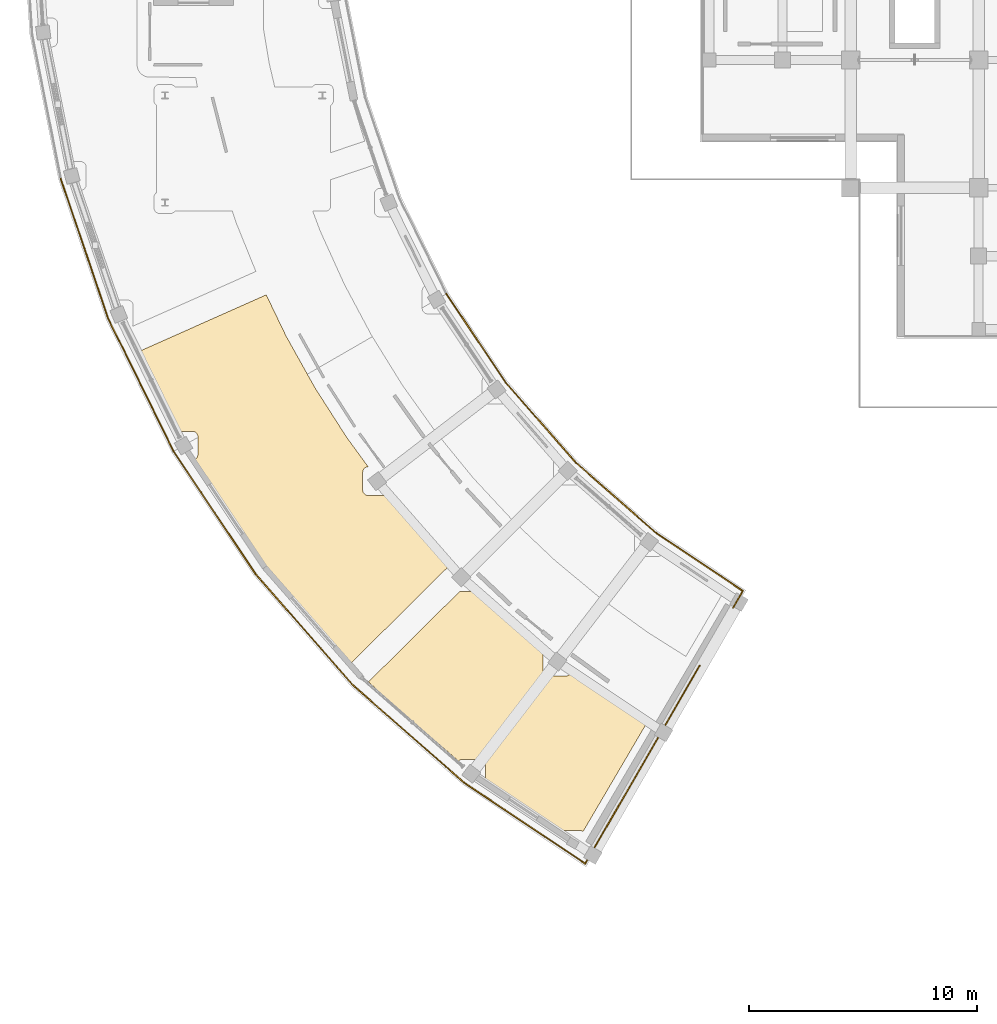
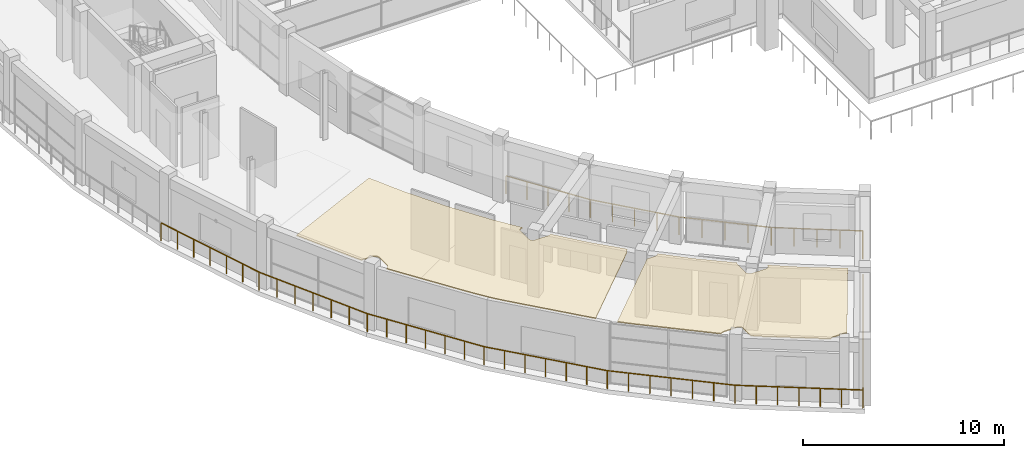
# One storey, part 58 of 72: 12 railings, 2 coverings.
"""IFC4 building model written with IfcOpenShell, lengths in metres."""

from ifc_helpers import new_model, si_unit, direction, frame, origin, origin_2d, place, context, subcontext, project, spatial, polyline, rectangle, outline, extrude, material, layer, layer_set, type_object, element, save


model = new_model("IFC4")

# Units and contexts
model_context = context("Model", 3, precision=1e-05, world=origin(), true_north=direction((0.0, 1.0)))
body_context = subcontext(model_context, "Body", "Model", "MODEL_VIEW")
ifc_project = project(units=[si_unit("LENGTHUNIT", "METRE"), si_unit("AREAUNIT", "SQUARE_METRE"), si_unit("VOLUMEUNIT", "CUBIC_METRE"), si_unit("PLANEANGLEUNIT", "RADIAN"), si_unit("MASSUNIT", "GRAM", prefix="KILO")], contexts=[model_context])

# Site, building, storey
site_placement = place(None, origin())
site = spatial("IfcSite", under=ifc_project, at=site_placement, CompositionType="ELEMENT")
building_placement = place(site_placement, origin())
building = spatial("IfcBuilding", under=site, at=building_placement, Name="Saryqyr Civic Hall", CompositionType="ELEMENT")
storey_placement = place(building_placement, frame((0.0, 0.0, 17.25)))
storey = spatial("IfcBuildingStorey", under=building, at=storey_placement, Name="L04", CompositionType="ELEMENT", Elevation=17.25)

# Coverings
ifc_material_1 = material(Name="Mineral-fibre acoustic ceiling tile", Category="acoustic_tile")
ifc_layer_1 = layer(ifc_material_1, 0.06005859375, Name="Mineral-fibre acoustic ceiling tile")
ifc_layer_set_1 = layer_set([ifc_layer_1], Name="Mineral-fibre acoustic ceiling tile")
covering_type = type_object("IfcCoveringType", Name="INT-COV-CEIL-60", PredefinedType="CEILING", material=ifc_layer_set_1)
covering_1_placement = place(storey_placement, frame((0.0, 0.0, 3.699951171875)))
element("IfcCovering", 1, at=covering_1_placement, inside=storey, type_object=covering_type, Name="Acoustic ceiling Canteen Servery & Finishing Kitchen", PredefinedType="CEILING", context=body_context, shape_type="SweptSolid", body=[
    extrude(outline(polyline([(19.06982421875, 64.281005859375), (20.31298828125, 62.0546875), (20.330078125, 62.02587890625), (21.70556640625, 59.878662109375), (21.72412109375, 59.851318359375), (22.655517578125, 58.57470703125), (22.639892578125, 58.57373046875), (22.61572265625, 58.5703125), (22.591796875, 58.564208984375), (22.56884765625, 58.555908203125), (22.546630859375, 58.54541015625), (22.525634765625, 58.532958984375), (22.505859375, 58.518310546875), (22.48779296875, 58.501708984375), (22.47119140625, 58.483642578125), (22.45654296875, 58.4638671875), (22.444091796875, 58.44287109375), (22.43359375, 58.420654296875), (22.42529296875, 58.397705078125), (22.419189453125, 58.373779296875), (22.415771484375, 58.349609375), (22.41455078125, 58.324951171875), (22.41455078125, 57.56494140625), (22.415771484375, 57.54052734375), (22.419189453125, 57.51611328125), (22.42529296875, 57.492431640625), (22.43359375, 57.46923828125), (22.444091796875, 57.447265625), (22.45654296875, 57.426025390625), (22.47119140625, 57.406494140625), (22.48779296875, 57.38818359375), (22.505859375, 57.37158203125), (22.525634765625, 57.357177734375), (22.546630859375, 57.344482421875), (22.56884765625, 57.333984375), (22.591796875, 57.32568359375), (22.61572265625, 57.31982421875), (22.639892578125, 57.316162109375), (22.66455078125, 57.31494140625), (23.424560546875, 57.31494140625), (23.448974609375, 57.316162109375), (23.473388671875, 57.31982421875), (23.4970703125, 57.32568359375), (23.520263671875, 57.333984375), (23.542236328125, 57.344482421875), (23.5634765625, 57.357177734375), (23.576171875, 57.36669921875), (24.871337890625, 55.799072265625), (24.893310546875, 55.774169921875), (26.236328125, 54.335205078125), (26.216796875, 54.32373046875), (26.197265625, 54.30908203125), (26.178955078125, 54.29248046875), (26.16259765625, 54.2744140625), (26.14794921875, 54.254638671875), (26.13525390625, 54.233642578125), (26.124755859375, 54.21142578125), (26.11669921875, 54.1884765625), (26.110595703125, 54.16455078125), (26.10693359375, 54.140380859375), (26.10693359375, 54.13916015625), (21.88134765625, 49.948974609375), (21.689208984375, 50.15478515625), (18.810302734375, 53.4375), (18.356201171875, 53.9873046875), (17.518798828125, 55.13525390625), (15.016357421875, 58.880615234375), (15.017333984375, 58.880859375), (15.04052734375, 58.888916015625), (15.0625, 58.8994140625), (15.083740234375, 58.912109375), (15.103515625, 58.9267578125), (15.12158203125, 58.943115234375), (15.13818359375, 58.96142578125), (15.152587890625, 58.981201171875), (15.165283203125, 59.002197265625), (15.17578125, 59.0244140625), (15.18408203125, 59.04736328125), (15.18994140625, 59.0712890625), (15.193603515625, 59.095458984375), (15.19482421875, 59.1201171875), (15.19482421875, 59.8798828125), (15.193603515625, 59.904541015625), (15.18994140625, 59.9287109375), (15.18408203125, 59.95263671875), (15.17578125, 59.9755859375), (15.165283203125, 59.997802734375), (15.152587890625, 60.018798828125), (15.13818359375, 60.03857421875), (15.12158203125, 60.056884765625), (15.103515625, 60.0732421875), (15.083740234375, 60.087890625), (15.0625, 60.1005859375), (15.04052734375, 60.111083984375), (15.017333984375, 60.119140625), (14.99365234375, 60.125244140625), (14.96923828125, 60.12890625), (14.94482421875, 60.1298828125), (14.313232421875, 60.1298828125), (14.10498046875, 60.503173828125), (12.572509765625, 63.610595703125), (18.188232421875, 66.109130859375), (19.054443359375, 64.310546875), (19.06982421875, 64.281005859375)])), origin(), (0.0, 0.0, 1.0), 0.06005859375),
])
covering_2_placement = place(storey_placement, frame((0.0, 0.0, 3.699951171875)))
element("IfcCovering", 2, at=covering_2_placement, inside=storey, type_object=covering_type, Name="Acoustic ceiling Staff Restroom & Accessible MGN WC L04-W", PredefinedType="CEILING", context=body_context, shape_type="SweptSolid", body=[
    extrude(outline(polyline([(30.357177734375, 50.5634765625), (30.344482421875, 50.542236328125), (30.333984375, 50.520263671875), (30.32568359375, 50.4970703125), (30.31982421875, 50.473388671875), (30.316162109375, 50.448974609375), (30.31494140625, 50.424560546875), (30.31494140625, 49.66455078125), (30.316162109375, 49.639892578125), (30.31982421875, 49.61572265625), (30.32568359375, 49.591796875), (30.333984375, 49.56884765625), (30.344482421875, 49.546630859375), (30.357177734375, 49.525634765625), (30.37158203125, 49.505859375), (30.38818359375, 49.48779296875), (30.406494140625, 49.47119140625), (30.426025390625, 49.45654296875), (30.447265625, 49.444091796875), (30.46923828125, 49.43359375), (30.492431640625, 49.42529296875), (30.51611328125, 49.419189453125), (30.54052734375, 49.415771484375), (30.56494140625, 49.41455078125), (31.324951171875, 49.41455078125), (31.349609375, 49.415771484375), (31.373779296875, 49.419189453125), (31.397705078125, 49.42529296875), (31.420654296875, 49.43359375), (31.44287109375, 49.444091796875), (31.4638671875, 49.45654296875), (31.483642578125, 49.47119140625), (31.501708984375, 49.48779296875), (31.518310546875, 49.505859375), (31.532958984375, 49.525634765625), (31.54541015625, 49.546630859375), (31.555908203125, 49.56884765625), (31.564208984375, 49.591796875), (31.5703125, 49.61572265625), (31.57373046875, 49.639892578125), (31.57470703125, 49.65771484375), (33.011962890625, 48.61474609375), (33.04150390625, 48.594970703125), (34.901611328125, 47.4208984375), (32.0693359375, 42.593505859375), (32.060546875, 42.60009765625), (32.03955078125, 42.61279296875), (32.017333984375, 42.623291015625), (31.994384765625, 42.63134765625), (31.970458984375, 42.637451171875), (31.9462890625, 42.64111328125), (31.921630859375, 42.64208984375), (31.311767578125, 42.64208984375), (31.287109375, 42.64111328125), (31.262939453125, 42.637451171875), (31.239013671875, 42.63134765625), (31.216064453125, 42.623291015625), (31.19384765625, 42.61279296875), (31.1728515625, 42.60009765625), (31.153076171875, 42.58544921875), (31.135009765625, 42.569091796875), (31.118408203125, 42.55078125), (31.11376953125, 42.54443359375), (28.19970703125, 44.475830078125), (27.80078125, 44.765380859375), (27.80078125, 45.505615234375), (27.799560546875, 45.5302734375), (27.7958984375, 45.554443359375), (27.789794921875, 45.578369140625), (27.78173828125, 45.601318359375), (27.771240234375, 45.62353515625), (27.758544921875, 45.64453125), (27.743896484375, 45.664306640625), (27.7275390625, 45.6826171875), (27.709228515625, 45.698974609375), (27.689697265625, 45.713623046875), (27.66845703125, 45.726318359375), (27.646484375, 45.73681640625), (27.623291015625, 45.744873046875), (27.599609375, 45.7509765625), (27.5751953125, 45.75439453125), (27.55078125, 45.755615234375), (26.790771484375, 45.755615234375), (26.76611328125, 45.75439453125), (26.741943359375, 45.7509765625), (26.718017578125, 45.744873046875), (26.695068359375, 45.73681640625), (26.6728515625, 45.726318359375), (26.65185546875, 45.713623046875), (26.632080078125, 45.698974609375), (26.614013671875, 45.6826171875), (26.61376953125, 45.682373046875), (23.28369140625, 48.576416015625), (22.67138671875, 49.15478515625), (26.655517578125, 53.105712890625), (27.11572265625, 53.105712890625), (27.140380859375, 53.10693359375), (27.16455078125, 53.110595703125), (27.1884765625, 53.11669921875), (27.21142578125, 53.124755859375), (27.233642578125, 53.13525390625), (27.254638671875, 53.14794921875), (27.2744140625, 53.16259765625), (27.29248046875, 53.178955078125), (27.30908203125, 53.197265625), (27.32373046875, 53.216796875), (27.336181640625, 53.238037109375), (27.33837890625, 53.2421875), (28.64306640625, 52.009033203125), (28.669921875, 51.9853515625), (30.367431640625, 50.5771484375), (30.357177734375, 50.5634765625)])), origin(), (0.0, 0.0, 1.0), 0.06005859375),
])

# Railings
ifc_material_2 = material(Name="Warm brushed brass and laminated glass", Category="glass")
ifc_layer_2 = layer(ifc_material_2, 0.06005859375, Name="Warm brushed brass and laminated glass")
ifc_layer_set_2 = layer_set([ifc_layer_2], Name="Warm brushed brass and laminated glass")
railing_type = type_object("IfcRailingType", Name="INT-RLG-BAL-1100", PredefinedType="BALUSTRADE", material=ifc_layer_set_2)
railing_1_placement = place(storey_placement, frame((39.066650390625, 53.138427734375, 0.0)))
element("IfcRailing", 3, at=railing_1_placement, inside=storey, type_object=railing_type, Name="Interior deck safety balustrade L04-001", PredefinedType="BALUSTRADE", context=body_context, shape_type="SweptSolid", body=[
    extrude(rectangle(XDim=0.048095703125, YDim=0.048095703125, at=origin_2d()), frame((0.0, 0.0, 1.09619140625), z_axis=(-0.500092435591, -0.865972029493, 0.0), x_axis=(0.865972029493, -0.500092435591, 0.0)), (0.0, 0.0, 1.0), 0.856689453125),
    extrude(rectangle(XDim=0.0419921875, YDim=0.0419921875, at=origin_2d()), origin(), (0.0, 0.0, 1.0), 1.072021484375),
    extrude(rectangle(XDim=0.0419921875, YDim=0.0419921875, at=origin_2d()), frame((-0.428466796875, -0.741943359375, 0.0)), (0.0, 0.0, 1.0), 1.072021484375),
])
railing_2_placement = place(storey_placement, frame((37.177978515625, 49.8671875, 0.0)))
element("IfcRailing", 4, at=railing_2_placement, inside=storey, type_object=railing_type, Name="Interior deck safety balustrade L04-002", PredefinedType="BALUSTRADE", context=body_context, shape_type="SweptSolid", body=[
    extrude(rectangle(XDim=0.048095703125, YDim=0.048095703125, at=origin_2d()), frame((0.0, 0.0, 1.09619140625), z_axis=(-0.500000789788, -0.8660249478, 0.0), x_axis=(0.8660249478, -0.500000789788, 0.0)), (0.0, 0.0, 1.0), 10.0224609375),
    extrude(rectangle(XDim=0.0419921875, YDim=0.0419921875, at=origin_2d()), origin(), (0.0, 0.0, 1.0), 1.072021484375),
    extrude(rectangle(XDim=0.0419921875, YDim=0.0419921875, at=origin_2d()), frame((-0.556884765625, -0.96435546875, 0.0)), (0.0, 0.0, 1.0), 1.072021484375),
    extrude(rectangle(XDim=0.0419921875, YDim=0.0419921875, at=origin_2d()), frame((-1.113525390625, -1.9287109375, 0.0)), (0.0, 0.0, 1.0), 1.072021484375),
    extrude(rectangle(XDim=0.0419921875, YDim=0.0419921875, at=origin_2d()), frame((-1.67041015625, -2.893310546875, 0.0)), (0.0, 0.0, 1.0), 1.072021484375),
    extrude(rectangle(XDim=0.0419921875, YDim=0.0419921875, at=origin_2d()), frame((-2.227294921875, -3.857666015625, 0.0)), (0.0, 0.0, 1.0), 1.072021484375),
    extrude(rectangle(XDim=0.0419921875, YDim=0.0419921875, at=origin_2d()), frame((-2.783935546875, -4.822021484375, 0.0)), (0.0, 0.0, 1.0), 1.072021484375),
    extrude(rectangle(XDim=0.0419921875, YDim=0.0419921875, at=origin_2d()), frame((-3.3408203125, -5.786376953125, 0.0)), (0.0, 0.0, 1.0), 1.072021484375),
    extrude(rectangle(XDim=0.0419921875, YDim=0.0419921875, at=origin_2d()), frame((-3.897705078125, -6.7509765625, 0.0)), (0.0, 0.0, 1.0), 1.072021484375),
    extrude(rectangle(XDim=0.0419921875, YDim=0.0419921875, at=origin_2d()), frame((-4.454345703125, -7.71533203125, 0.0)), (0.0, 0.0, 1.0), 1.072021484375),
    extrude(rectangle(XDim=0.0419921875, YDim=0.0419921875, at=origin_2d()), frame((-5.01123046875, -8.6796875, 0.0)), (0.0, 0.0, 1.0), 1.072021484375),
])
railing_3_placement = place(storey_placement, frame((32.166748046875, 41.1875, 0.0)))
element("IfcRailing", 5, at=railing_3_placement, inside=storey, type_object=railing_type, Name="Interior deck safety balustrade L04-003", PredefinedType="BALUSTRADE", context=body_context, shape_type="SweptSolid", body=[
    extrude(rectangle(XDim=0.048095703125, YDim=0.048095703125, at=origin_2d()), frame((0.0, 0.0, 1.09619140625), z_axis=(-0.831454719834, 0.555592520527, 0.0), x_axis=(-0.555592520527, -0.831454719834, 0.0)), (0.0, 0.0, 1.0), 6.374755859375),
    extrude(rectangle(XDim=0.0419921875, YDim=0.0419921875, at=origin_2d()), origin(), (0.0, 0.0, 1.0), 1.072021484375),
    extrude(rectangle(XDim=0.0419921875, YDim=0.0419921875, at=origin_2d()), frame((-0.88330078125, 0.59033203125, 0.0)), (0.0, 0.0, 1.0), 1.072021484375),
    extrude(rectangle(XDim=0.0419921875, YDim=0.0419921875, at=origin_2d()), frame((-1.766845703125, 1.1806640625, 0.0)), (0.0, 0.0, 1.0), 1.072021484375),
    extrude(rectangle(XDim=0.0419921875, YDim=0.0419921875, at=origin_2d()), frame((-2.650146484375, 1.77099609375, 0.0)), (0.0, 0.0, 1.0), 1.072021484375),
    extrude(rectangle(XDim=0.0419921875, YDim=0.0419921875, at=origin_2d()), frame((-3.533447265625, 2.361083984375, 0.0)), (0.0, 0.0, 1.0), 1.072021484375),
    extrude(rectangle(XDim=0.0419921875, YDim=0.0419921875, at=origin_2d()), frame((-4.4169921875, 2.951416015625, 0.0)), (0.0, 0.0, 1.0), 1.072021484375),
    extrude(rectangle(XDim=0.0419921875, YDim=0.0419921875, at=origin_2d()), frame((-5.30029296875, 3.541748046875, 0.0)), (0.0, 0.0, 1.0), 1.072021484375),
])
railing_4_placement = place(storey_placement, frame((26.866455078125, 44.729248046875, 0.0)))
element("IfcRailing", 6, at=railing_4_placement, inside=storey, type_object=railing_type, Name="Interior deck safety balustrade L04-004", PredefinedType="BALUSTRADE", context=body_context, shape_type="SweptSolid", body=[
    extrude(rectangle(XDim=0.048095703125, YDim=0.048095703125, at=origin_2d()), frame((0.0, 0.0, 1.09619140625), z_axis=(-0.751856829228, 0.659326405009, 0.0), x_axis=(-0.659326405009, -0.751856829228, 0.0)), (0.0, 0.0, 1.0), 6.474853515625),
    extrude(rectangle(XDim=0.0419921875, YDim=0.0419921875, at=origin_2d()), origin(), (0.0, 0.0, 1.0), 1.072021484375),
    extrude(rectangle(XDim=0.0419921875, YDim=0.0419921875, at=origin_2d()), frame((-0.811279296875, 0.71142578125, 0.0)), (0.0, 0.0, 1.0), 1.072021484375),
    extrude(rectangle(XDim=0.0419921875, YDim=0.0419921875, at=origin_2d()), frame((-1.622802734375, 1.423095703125, 0.0)), (0.0, 0.0, 1.0), 1.072021484375),
    extrude(rectangle(XDim=0.0419921875, YDim=0.0419921875, at=origin_2d()), frame((-2.43408203125, 2.134521484375, 0.0)), (0.0, 0.0, 1.0), 1.072021484375),
    extrude(rectangle(XDim=0.0419921875, YDim=0.0419921875, at=origin_2d()), frame((-3.245361328125, 2.845947265625, 0.0)), (0.0, 0.0, 1.0), 1.072021484375),
    extrude(rectangle(XDim=0.0419921875, YDim=0.0419921875, at=origin_2d()), frame((-4.056884765625, 3.5576171875, 0.0)), (0.0, 0.0, 1.0), 1.072021484375),
    extrude(rectangle(XDim=0.0419921875, YDim=0.0419921875, at=origin_2d()), frame((-4.8681640625, 4.26904296875, 0.0)), (0.0, 0.0, 1.0), 1.072021484375),
])
railing_5_placement = place(storey_placement, frame((21.998291015625, 48.998291015625, 0.0)))
element("IfcRailing", 7, at=railing_5_placement, inside=storey, type_object=railing_type, Name="Interior deck safety balustrade L04-005", PredefinedType="BALUSTRADE", context=body_context, shape_type="SweptSolid", body=[
    extrude(rectangle(XDim=0.048095703125, YDim=0.048095703125, at=origin_2d()), frame((0.0, 0.0, 1.09619140625), z_axis=(-0.659326405009, 0.751856829228, 0.0), x_axis=(-0.751856829228, -0.659326405009, 0.0)), (0.0, 0.0, 1.0), 6.474853515625),
    extrude(rectangle(XDim=0.0419921875, YDim=0.0419921875, at=origin_2d()), origin(), (0.0, 0.0, 1.0), 1.072021484375),
    extrude(rectangle(XDim=0.0419921875, YDim=0.0419921875, at=origin_2d()), frame((-0.71142578125, 0.811279296875, 0.0)), (0.0, 0.0, 1.0), 1.072021484375),
    extrude(rectangle(XDim=0.0419921875, YDim=0.0419921875, at=origin_2d()), frame((-1.423095703125, 1.622802734375, 0.0)), (0.0, 0.0, 1.0), 1.072021484375),
    extrude(rectangle(XDim=0.0419921875, YDim=0.0419921875, at=origin_2d()), frame((-2.134521484375, 2.43408203125, 0.0)), (0.0, 0.0, 1.0), 1.072021484375),
    extrude(rectangle(XDim=0.0419921875, YDim=0.0419921875, at=origin_2d()), frame((-2.845947265625, 3.245361328125, 0.0)), (0.0, 0.0, 1.0), 1.072021484375),
    extrude(rectangle(XDim=0.0419921875, YDim=0.0419921875, at=origin_2d()), frame((-3.5576171875, 4.056884765625, 0.0)), (0.0, 0.0, 1.0), 1.072021484375),
    extrude(rectangle(XDim=0.0419921875, YDim=0.0419921875, at=origin_2d()), frame((-4.26904296875, 4.8681640625, 0.0)), (0.0, 0.0, 1.0), 1.072021484375),
])
railing_6_placement = place(storey_placement, frame((17.729248046875, 53.866455078125, 0.0)))
element("IfcRailing", 8, at=railing_6_placement, inside=storey, type_object=railing_type, Name="Interior deck safety balustrade L04-006", PredefinedType="BALUSTRADE", context=body_context, shape_type="SweptSolid", body=[
    extrude(rectangle(XDim=0.048095703125, YDim=0.048095703125, at=origin_2d()), frame((0.0, 0.0, 1.09619140625), z_axis=(-0.55559611415, 0.831452318502, 0.0), x_axis=(-0.831452318502, -0.55559611415, 0.0)), (0.0, 0.0, 1.0), 6.474853515625),
    extrude(rectangle(XDim=0.0419921875, YDim=0.0419921875, at=origin_2d()), origin(), (0.0, 0.0, 1.0), 1.072021484375),
    extrude(rectangle(XDim=0.0419921875, YDim=0.0419921875, at=origin_2d()), frame((-0.599609375, 0.897216796875, 0.0)), (0.0, 0.0, 1.0), 1.072021484375),
    extrude(rectangle(XDim=0.0419921875, YDim=0.0419921875, at=origin_2d()), frame((-1.19921875, 1.79443359375, 0.0)), (0.0, 0.0, 1.0), 1.072021484375),
    extrude(rectangle(XDim=0.0419921875, YDim=0.0419921875, at=origin_2d()), frame((-1.798828125, 2.69189453125, 0.0)), (0.0, 0.0, 1.0), 1.072021484375),
    extrude(rectangle(XDim=0.0419921875, YDim=0.0419921875, at=origin_2d()), frame((-2.398193359375, 3.589111328125, 0.0)), (0.0, 0.0, 1.0), 1.072021484375),
    extrude(rectangle(XDim=0.0419921875, YDim=0.0419921875, at=origin_2d()), frame((-2.997802734375, 4.486328125, 0.0)), (0.0, 0.0, 1.0), 1.072021484375),
    extrude(rectangle(XDim=0.0419921875, YDim=0.0419921875, at=origin_2d()), frame((-3.597412109375, 5.383544921875, 0.0)), (0.0, 0.0, 1.0), 1.072021484375),
])
railing_7_placement = place(storey_placement, frame((14.1318359375, 59.25, 0.0)))
element("IfcRailing", 9, at=railing_7_placement, inside=storey, type_object=railing_type, Name="Interior deck safety balustrade L04-007", PredefinedType="BALUSTRADE", context=body_context, shape_type="SweptSolid", body=[
    extrude(rectangle(XDim=0.048095703125, YDim=0.048095703125, at=origin_2d()), frame((0.0, 0.0, 1.09619140625), z_axis=(-0.442244704557, 0.89689443152, 0.0), x_axis=(-0.89689443152, -0.442244704557, 0.0)), (0.0, 0.0, 1.0), 6.47509765625),
    extrude(rectangle(XDim=0.0419921875, YDim=0.0419921875, at=origin_2d()), origin(), (0.0, 0.0, 1.0), 1.072021484375),
    extrude(rectangle(XDim=0.0419921875, YDim=0.0419921875, at=origin_2d()), frame((-0.477294921875, 0.9677734375, 0.0)), (0.0, 0.0, 1.0), 1.072021484375),
    extrude(rectangle(XDim=0.0419921875, YDim=0.0419921875, at=origin_2d()), frame((-0.95458984375, 1.935791015625, 0.0)), (0.0, 0.0, 1.0), 1.072021484375),
    extrude(rectangle(XDim=0.0419921875, YDim=0.0419921875, at=origin_2d()), frame((-1.431640625, 2.90380859375, 0.0)), (0.0, 0.0, 1.0), 1.072021484375),
    extrude(rectangle(XDim=0.0419921875, YDim=0.0419921875, at=origin_2d()), frame((-1.908935546875, 3.87158203125, 0.0)), (0.0, 0.0, 1.0), 1.072021484375),
    extrude(rectangle(XDim=0.0419921875, YDim=0.0419921875, at=origin_2d()), frame((-2.38623046875, 4.83935546875, 0.0)), (0.0, 0.0, 1.0), 1.072021484375),
    extrude(rectangle(XDim=0.0419921875, YDim=0.0419921875, at=origin_2d()), frame((-2.863525390625, 5.807373046875, 0.0)), (0.0, 0.0, 1.0), 1.072021484375),
])
railing_8_placement = place(storey_placement, frame((11.268310546875, 65.057373046875, 0.0)))
element("IfcRailing", 10, at=railing_8_placement, inside=storey, type_object=railing_type, Name="Interior deck safety balustrade L04-008", PredefinedType="BALUSTRADE", context=body_context, shape_type="SweptSolid", body=[
    extrude(rectangle(XDim=0.048095703125, YDim=0.048095703125, at=origin_2d()), frame((0.0, 0.0, 1.09619140625), z_axis=(-0.321449107992, 0.946926856189, 0.0), x_axis=(-0.946926856189, -0.321449107992, 0.0)), (0.0, 0.0, 1.0), 6.474853515625),
    extrude(rectangle(XDim=0.0419921875, YDim=0.0419921875, at=origin_2d()), origin(), (0.0, 0.0, 1.0), 1.072021484375),
    extrude(rectangle(XDim=0.0419921875, YDim=0.0419921875, at=origin_2d()), frame((-0.346923828125, 1.02197265625, 0.0)), (0.0, 0.0, 1.0), 1.072021484375),
    extrude(rectangle(XDim=0.0419921875, YDim=0.0419921875, at=origin_2d()), frame((-0.69384765625, 2.043701171875, 0.0)), (0.0, 0.0, 1.0), 1.072021484375),
    extrude(rectangle(XDim=0.0419921875, YDim=0.0419921875, at=origin_2d()), frame((-1.04052734375, 3.0654296875, 0.0)), (0.0, 0.0, 1.0), 1.072021484375),
    extrude(rectangle(XDim=0.0419921875, YDim=0.0419921875, at=origin_2d()), frame((-1.387451171875, 4.08740234375, 0.0)), (0.0, 0.0, 1.0), 1.072021484375),
    extrude(rectangle(XDim=0.0419921875, YDim=0.0419921875, at=origin_2d()), frame((-1.734375, 5.109375, 0.0)), (0.0, 0.0, 1.0), 1.072021484375),
    extrude(rectangle(XDim=0.0419921875, YDim=0.0419921875, at=origin_2d()), frame((-2.081298828125, 6.131103515625, 0.0)), (0.0, 0.0, 1.0), 1.072021484375),
])
railing_9_placement = place(storey_placement, frame((26.082763671875, 66.14990234375, 0.0)))
element("IfcRailing", 11, at=railing_9_placement, inside=storey, type_object=railing_type, Name="Interior deck safety balustrade L04-091", PredefinedType="BALUSTRADE", context=body_context, shape_type="SweptSolid", body=[
    extrude(rectangle(XDim=0.048095703125, YDim=0.048095703125, at=origin_2d()), frame((0.0, 0.0, 1.09619140625), z_axis=(0.555544459674, -0.831486832924, 0.0), x_axis=(0.831486832924, 0.555544459674, 0.0)), (0.0, 0.0, 1.0), 4.669677734375),
    extrude(rectangle(XDim=0.0419921875, YDim=0.0419921875, at=origin_2d()), origin(), (0.0, 0.0, 1.0), 1.072021484375),
    extrude(rectangle(XDim=0.0419921875, YDim=0.0419921875, at=origin_2d()), frame((0.6484375, -0.970703125, 0.0)), (0.0, 0.0, 1.0), 1.072021484375),
    extrude(rectangle(XDim=0.0419921875, YDim=0.0419921875, at=origin_2d()), frame((1.297119140625, -1.94140625, 0.0)), (0.0, 0.0, 1.0), 1.072021484375),
    extrude(rectangle(XDim=0.0419921875, YDim=0.0419921875, at=origin_2d()), frame((1.94580078125, -2.912109375, 0.0)), (0.0, 0.0, 1.0), 1.072021484375),
    extrude(rectangle(XDim=0.0419921875, YDim=0.0419921875, at=origin_2d()), frame((2.59423828125, -3.8828125, 0.0)), (0.0, 0.0, 1.0), 1.072021484375),
])
railing_10_placement = place(storey_placement, frame((28.677001953125, 62.26708984375, 0.0)))
element("IfcRailing", 12, at=railing_10_placement, inside=storey, type_object=railing_type, Name="Interior deck safety balustrade L04-092", PredefinedType="BALUSTRADE", context=body_context, shape_type="SweptSolid", body=[
    extrude(rectangle(XDim=0.048095703125, YDim=0.048095703125, at=origin_2d()), frame((0.0, 0.0, 1.09619140625), z_axis=(0.659351769343, -0.751834585706, 0.0), x_axis=(0.751834585706, 0.659351769343, 0.0)), (0.0, 0.0, 1.0), 4.669921875),
    extrude(rectangle(XDim=0.0419921875, YDim=0.0419921875, at=origin_2d()), origin(), (0.0, 0.0, 1.0), 1.072021484375),
    extrude(rectangle(XDim=0.0419921875, YDim=0.0419921875, at=origin_2d()), frame((0.769775390625, -0.877685546875, 0.0)), (0.0, 0.0, 1.0), 1.072021484375),
    extrude(rectangle(XDim=0.0419921875, YDim=0.0419921875, at=origin_2d()), frame((1.53955078125, -1.75537109375, 0.0)), (0.0, 0.0, 1.0), 1.072021484375),
    extrude(rectangle(XDim=0.0419921875, YDim=0.0419921875, at=origin_2d()), frame((2.309326171875, -2.63330078125, 0.0)), (0.0, 0.0, 1.0), 1.072021484375),
    extrude(rectangle(XDim=0.0419921875, YDim=0.0419921875, at=origin_2d()), frame((3.0791015625, -3.510986328125, 0.0)), (0.0, 0.0, 1.0), 1.072021484375),
])
railing_11_placement = place(storey_placement, frame((31.756103515625, 58.756103515625, 0.0)))
element("IfcRailing", 13, at=railing_11_placement, inside=storey, type_object=railing_type, Name="Interior deck safety balustrade L04-093", PredefinedType="BALUSTRADE", context=body_context, shape_type="SweptSolid", body=[
    extrude(rectangle(XDim=0.048095703125, YDim=0.048095703125, at=origin_2d()), frame((0.0, 0.0, 1.09619140625), z_axis=(0.751834585706, -0.659351769343, 0.0), x_axis=(0.659351769343, 0.751834585706, 0.0)), (0.0, 0.0, 1.0), 4.669921875),
    extrude(rectangle(XDim=0.0419921875, YDim=0.0419921875, at=origin_2d()), origin(), (0.0, 0.0, 1.0), 1.072021484375),
    extrude(rectangle(XDim=0.0419921875, YDim=0.0419921875, at=origin_2d()), frame((0.877685546875, -0.769775390625, 0.0)), (0.0, 0.0, 1.0), 1.072021484375),
    extrude(rectangle(XDim=0.0419921875, YDim=0.0419921875, at=origin_2d()), frame((1.75537109375, -1.53955078125, 0.0)), (0.0, 0.0, 1.0), 1.072021484375),
    extrude(rectangle(XDim=0.0419921875, YDim=0.0419921875, at=origin_2d()), frame((2.63330078125, -2.309326171875, 0.0)), (0.0, 0.0, 1.0), 1.072021484375),
    extrude(rectangle(XDim=0.0419921875, YDim=0.0419921875, at=origin_2d()), frame((3.510986328125, -3.0791015625, 0.0)), (0.0, 0.0, 1.0), 1.072021484375),
])
railing_12_placement = place(storey_placement, frame((35.26708984375, 55.677001953125, 0.0)))
element("IfcRailing", 14, at=railing_12_placement, inside=storey, type_object=railing_type, Name="Interior deck safety balustrade L04-094", PredefinedType="BALUSTRADE", context=body_context, shape_type="SweptSolid", body=[
    extrude(rectangle(XDim=0.048095703125, YDim=0.048095703125, at=origin_2d()), frame((0.0, 0.0, 1.09619140625), z_axis=(0.831490938929, -0.555538314141, 0.0), x_axis=(0.555538314141, 0.831490938929, 0.0)), (0.0, 0.0, 1.0), 4.569580078125),
    extrude(rectangle(XDim=0.0419921875, YDim=0.0419921875, at=origin_2d()), origin(), (0.0, 0.0, 1.0), 1.072021484375),
    extrude(rectangle(XDim=0.0419921875, YDim=0.0419921875, at=origin_2d()), frame((0.949951171875, -0.634765625, 0.0)), (0.0, 0.0, 1.0), 1.072021484375),
    extrude(rectangle(XDim=0.0419921875, YDim=0.0419921875, at=origin_2d()), frame((1.89990234375, -1.269287109375, 0.0)), (0.0, 0.0, 1.0), 1.072021484375),
    extrude(rectangle(XDim=0.0419921875, YDim=0.0419921875, at=origin_2d()), frame((2.849609375, -1.90380859375, 0.0)), (0.0, 0.0, 1.0), 1.072021484375),
    extrude(rectangle(XDim=0.0419921875, YDim=0.0419921875, at=origin_2d()), frame((3.799560546875, -2.53857421875, 0.0)), (0.0, 0.0, 1.0), 1.072021484375),
])

save(model, "model.ifc")
